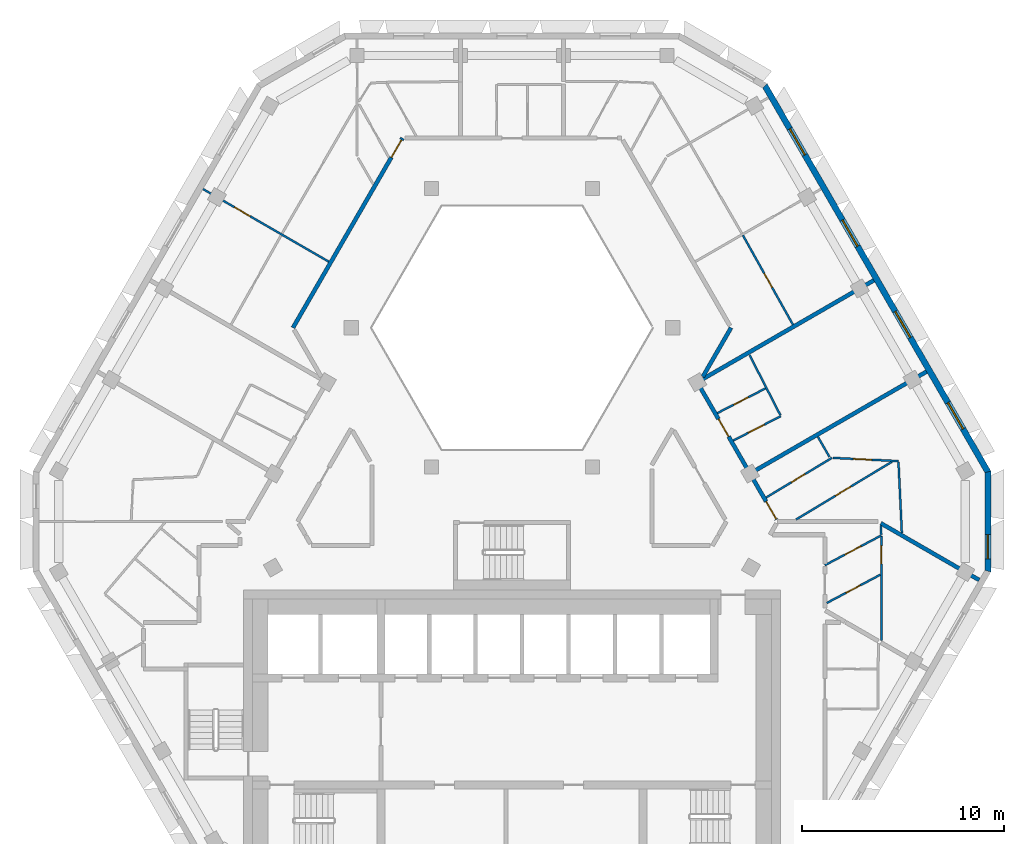
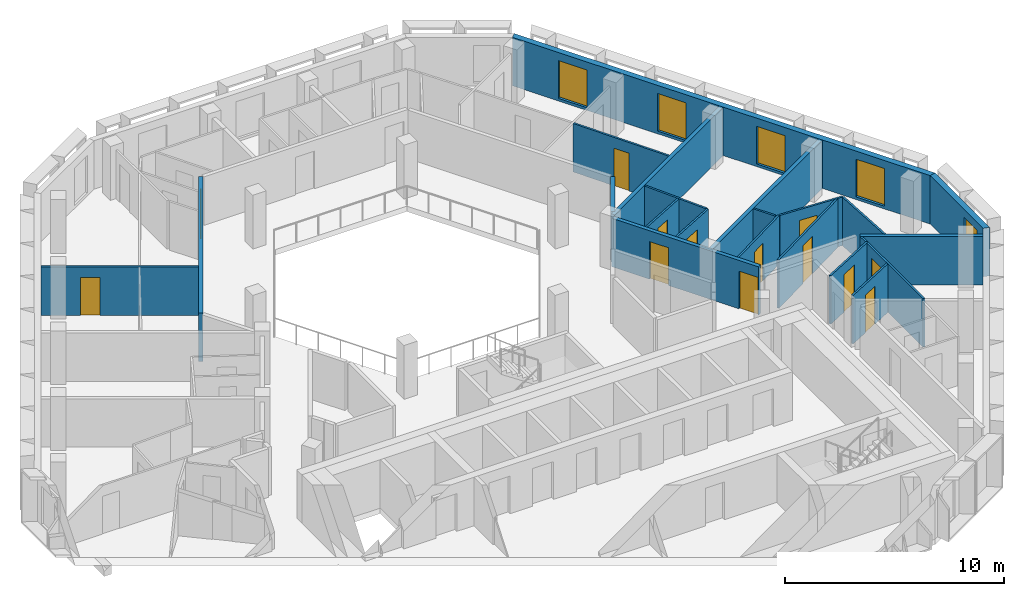
# One storey, part 6 of 15: 22 walls, 13 doors, 5 windows, 18 openings.
"""IFC4 building model written with IfcOpenShell, lengths in metres."""

from ifc_helpers import new_model, si_unit, direction, frame, frame_2d, origin, place, context, subcontext, project, spatial, polyline, rectangle, outline, extrude, material, layer, layer_set, type_object, element, fill, save


model = new_model("IFC4")

# Units and contexts
model_context = context("Model", 3, precision=1e-05, world=origin(), true_north=direction((0.0, 1.0)))
body_context = subcontext(model_context, "Body", "Model", "MODEL_VIEW")
ifc_project = project(units=[si_unit("LENGTHUNIT", "METRE"), si_unit("AREAUNIT", "SQUARE_METRE"), si_unit("VOLUMEUNIT", "CUBIC_METRE"), si_unit("PLANEANGLEUNIT", "RADIAN"), si_unit("MASSUNIT", "GRAM", prefix="KILO")], contexts=[model_context])

# Site, building, storey
site_placement = place(None, origin())
site = spatial("IfcSite", under=ifc_project, at=site_placement, CompositionType="ELEMENT")
building_placement = place(site_placement, origin())
building = spatial("IfcBuilding", under=site, at=building_placement, Name="Beryl Residences", CompositionType="ELEMENT")
storey_placement = place(building_placement, frame((0.0, 0.0, 211.800048828125)))
storey = spatial("IfcBuildingStorey", under=building, at=storey_placement, Name="L65", CompositionType="ELEMENT", Elevation=211.800048828125)

# Wall, opening, window
ifc_material_1 = material(Name="Composite metal panel with mineral wool insulation")
ifc_layer_1 = layer(ifc_material_1, 0.300048828125)
ifc_layer_set_1 = layer_set([ifc_layer_1], Name="ES1 pale metal composite panel wall 300 mm")
wall_type_1 = type_object("IfcWallType", Name="ES1 pale metal composite panel wall 300 mm", PredefinedType="SOLIDWALL", material=ifc_layer_set_1)
wall_1_placement = place(storey_placement, frame((23.5791015625, -4.10009765625, 0.0), z_axis=(0.0, 0.0, 1.0), x_axis=(0.0, 1.0, 0.0)))
wall_1 = element("IfcWall", 1, at=wall_1_placement, inside=storey, type_object=wall_type_1, Name="ES1 external wall L65 SE-NE", PredefinedType="SOLIDWALL", context=body_context, shape_type="SweptSolid", body=[
    extrude(outline(polyline([(0.0, -0.14990234375), (5.0, -0.14990234375), (4.919677734375, 0.14990234375), (0.080322265625, 0.14990234375), (0.0, -0.14990234375)])), origin(), (0.0, 0.0, 1.0), 2.699951171875),
])
opening_1_placement = place(wall_1_placement, frame((0.64990234375, 0.0, 0.14990234375)))
opening_1 = element("IfcOpeningElement", 2, at=opening_1_placement, cuts=wall_1, Name="Opening W2", PredefinedType="OPENING", context=body_context, shape_type="SweptSolid", body=[
    extrude(rectangle(XDim=1.199951171875, YDim=2.10009765625, at=frame_2d((0.60009765625, 1.050048828125))), frame((0.0, 0.159912109375, 0.0), z_axis=(0.0, -1.0, 0.0), x_axis=(1.0, 0.0, 0.0)), (0.0, 0.0, 1.0), 0.320068359375),
])
ifc_material_2 = material(Name="Aluminium and clear glass", Category="aluminium")
window_type_1 = type_object("IfcWindowType", Name="W2 chamfer window 1200 x 2100 mm", PartitioningType="SINGLE_PANEL", PredefinedType="WINDOW", material=ifc_material_2)
window_1_placement = place(opening_1_placement, origin())
window_1 = element("IfcWindow", 3, at=window_1_placement, inside=storey, type_object=window_type_1, Name="W2 window L65 SE-NE 1", OverallHeight=2.10009765625, OverallWidth=1.199951171875, PartitioningType="SINGLE_PANEL", PredefinedType="WINDOW", context=body_context, shape_type="SweptSolid", body=[
    extrude(rectangle(XDim=1.199951171875, YDim=2.10009765625, at=frame_2d((0.60009765625, 1.050048828125))), frame((0.0, 0.030029296875, 0.0), z_axis=(0.0, -1.0, 0.0), x_axis=(1.0, 0.0, 0.0)), (0.0, 0.0, 1.0), 0.06005859375),
])
fill(opening_1, window_1)

# Wall, openings, windows
wall_2_placement = place(storey_placement, frame((23.59912109375, 0.824951171875, 0.0), z_axis=(0.0, 0.0, 1.0), x_axis=(-0.500003656944, 0.866023292436, 0.0)))
wall_2 = element("IfcWall", 4, at=wall_2_placement, inside=storey, type_object=wall_type_1, Name="ES1 external wall L65 NE", PredefinedType="SOLIDWALL", context=body_context, shape_type="SweptSolid", body=[
    extrude(outline(polyline([(0.0, -0.14990234375), (22.170166015625, -0.14990234375), (22.08984375, 0.14990234375), (0.080322265625, 0.14990234375), (0.0, -0.14990234375)])), origin(), (0.0, 0.0, 1.0), 2.699951171875),
])
opening_2_placement = place(wall_2_placement, frame((2.4970703125, 0.0, 0.14990234375)))
opening_2 = element("IfcOpeningElement", 5, at=opening_2_placement, cuts=wall_2, Name="Opening W1", PredefinedType="OPENING", context=body_context, shape_type="SweptSolid", body=[
    extrude(rectangle(XDim=1.5, YDim=2.10009765625, at=frame_2d((0.75, 1.050048828125))), frame((0.0, 0.159912109375, 0.0), z_axis=(0.0, -1.0, 0.0), x_axis=(1.0, 0.0, 0.0)), (0.0, 0.0, 1.0), 0.320068359375),
])
opening_3_placement = place(wall_2_placement, frame((7.722900390625, 0.0, 0.14990234375)))
opening_3 = element("IfcOpeningElement", 6, at=opening_3_placement, cuts=wall_2, Name="Opening W1", PredefinedType="OPENING", context=body_context, shape_type="SweptSolid", body=[
    extrude(rectangle(XDim=1.5, YDim=2.10009765625, at=frame_2d((0.75, 1.050048828125))), frame((0.0, 0.159912109375, 0.0), z_axis=(0.0, -1.0, 0.0), x_axis=(1.0, 0.0, 0.0)), (0.0, 0.0, 1.0), 0.320068359375),
])
opening_4_placement = place(wall_2_placement, frame((12.947998046875, 0.0, 0.14990234375)))
opening_4 = element("IfcOpeningElement", 7, at=opening_4_placement, cuts=wall_2, Name="Opening W1", PredefinedType="OPENING", context=body_context, shape_type="SweptSolid", body=[
    extrude(rectangle(XDim=1.5, YDim=2.10009765625, at=frame_2d((0.75, 1.050048828125))), frame((0.0, 0.159912109375, 0.0), z_axis=(0.0, -1.0, 0.0), x_axis=(1.0, 0.0, 0.0)), (0.0, 0.0, 1.0), 0.320068359375),
])
opening_5_placement = place(wall_2_placement, frame((18.173095703125, 0.0, 0.14990234375)))
opening_5 = element("IfcOpeningElement", 8, at=opening_5_placement, cuts=wall_2, Name="Opening W1", PredefinedType="OPENING", context=body_context, shape_type="SweptSolid", body=[
    extrude(rectangle(XDim=1.5, YDim=2.10009765625, at=frame_2d((0.75, 1.050048828125))), frame((0.0, 0.159912109375, 0.0), z_axis=(0.0, -1.0, 0.0), x_axis=(1.0, 0.0, 0.0)), (0.0, 0.0, 1.0), 0.320068359375),
])
ifc_material_3 = material(Name="Aluminium and clear glass", Category="aluminium")
window_type_2 = type_object("IfcWindowType", Name="W1 cell window 1500 x 2100 mm", PartitioningType="SINGLE_PANEL", PredefinedType="WINDOW", material=ifc_material_3)
window_2_placement = place(opening_2_placement, origin())
window_2 = element("IfcWindow", 9, at=window_2_placement, inside=storey, type_object=window_type_2, Name="W1 window L65 NE 2", OverallHeight=2.10009765625, OverallWidth=1.5, PartitioningType="SINGLE_PANEL", PredefinedType="WINDOW", context=body_context, shape_type="SweptSolid", body=[
    extrude(rectangle(XDim=1.5, YDim=2.10009765625, at=frame_2d((0.75, 1.050048828125))), frame((0.0, 0.030029296875, 0.0), z_axis=(0.0, -1.0, 0.0), x_axis=(1.0, 0.0, 0.0)), (0.0, 0.0, 1.0), 0.06005859375),
])
fill(opening_2, window_2)
window_3_placement = place(opening_3_placement, origin())
window_3 = element("IfcWindow", 10, at=window_3_placement, inside=storey, type_object=window_type_2, Name="W1 window L65 NE 4", OverallHeight=2.10009765625, OverallWidth=1.5, PartitioningType="SINGLE_PANEL", PredefinedType="WINDOW", context=body_context, shape_type="SweptSolid", body=[
    extrude(rectangle(XDim=1.5, YDim=2.10009765625, at=frame_2d((0.75, 1.050048828125))), frame((0.0, 0.030029296875, 0.0), z_axis=(0.0, -1.0, 0.0), x_axis=(1.0, 0.0, 0.0)), (0.0, 0.0, 1.0), 0.06005859375),
])
fill(opening_3, window_3)
window_4_placement = place(opening_4_placement, origin())
window_4 = element("IfcWindow", 11, at=window_4_placement, inside=storey, type_object=window_type_2, Name="W1 window L65 NE 6", OverallHeight=2.10009765625, OverallWidth=1.5, PartitioningType="SINGLE_PANEL", PredefinedType="WINDOW", context=body_context, shape_type="SweptSolid", body=[
    extrude(rectangle(XDim=1.5, YDim=2.10009765625, at=frame_2d((0.75, 1.050048828125))), frame((0.0, 0.030029296875, 0.0), z_axis=(0.0, -1.0, 0.0), x_axis=(1.0, 0.0, 0.0)), (0.0, 0.0, 1.0), 0.06005859375),
])
fill(opening_4, window_4)
window_5_placement = place(opening_5_placement, origin())
window_5 = element("IfcWindow", 12, at=window_5_placement, inside=storey, type_object=window_type_2, Name="W1 window L65 NE 8", OverallHeight=2.10009765625, OverallWidth=1.5, PartitioningType="SINGLE_PANEL", PredefinedType="WINDOW", context=body_context, shape_type="SweptSolid", body=[
    extrude(rectangle(XDim=1.5, YDim=2.10009765625, at=frame_2d((0.75, 1.050048828125))), frame((0.0, 0.030029296875, 0.0), z_axis=(0.0, -1.0, 0.0), x_axis=(1.0, 0.0, 0.0)), (0.0, 0.0, 1.0), 0.06005859375),
])
fill(opening_5, window_5)

# Wall
ifc_material_4 = material(Name="Gypsum board partition on steel studs", Category="steel")
ifc_layer_2 = layer(ifc_material_4, 0.10009765625)
ifc_layer_set_2 = layer_set([ifc_layer_2], Name="PT1 partition 100 mm gypsum board on steel studs")
wall_type_2 = type_object("IfcWallType", Name="PT1 partition 100 mm gypsum board on steel studs", PredefinedType="PARTITIONING", material=ifc_layer_set_2)
wall_3_placement = place(storey_placement, frame((15.154052734375, 2.60107421875, 0.0), z_axis=(0.0, 0.0, 1.0), x_axis=(0.499808046739, -0.866136199691, 0.0)))
element("IfcWall", 13, at=wall_3_placement, inside=storey, type_object=wall_type_2, Name="Wall PT1 L65 005", PredefinedType="PARTITIONING", context=body_context, shape_type="SweptSolid", body=[
    extrude(rectangle(XDim=1.15234375, YDim=0.10009765625, at=frame_2d((0.576171875, 0.0))), origin(), (0.0, 0.0, 1.0), 2.699951171875),
])

# Wall, opening, door
wall_4_placement = place(storey_placement, frame((11.44091796875, 12.58203125, 0.0), z_axis=(0.0, 0.0, 1.0), x_axis=(0.488568218554, -0.872525699231, 0.0)))
wall_4 = element("IfcWall", 14, at=wall_4_placement, inside=storey, type_object=wall_type_2, Name="Wall PT1 L65 008", PredefinedType="PARTITIONING", context=body_context, shape_type="SweptSolid", body=[
    extrude(rectangle(XDim=5.075927734375, YDim=0.10009765625, at=frame_2d((2.5380859375, 0.0))), origin(), (0.0, 0.0, 1.0), 2.699951171875),
])
opening_6_placement = place(wall_4_placement, frame((2.1630859375, 0.0, 0.0)))
opening_6 = element("IfcOpeningElement", 15, at=opening_6_placement, cuts=wall_4, Name="Opening D2108", PredefinedType="OPENING", context=body_context, shape_type="SweptSolid", body=[
    extrude(rectangle(XDim=0.800048828125, YDim=2.10009765625, at=frame_2d((0.39990234375, 1.050048828125))), frame((0.0, 0.06005859375, 0.0), z_axis=(0.0, -1.0, 0.0), x_axis=(1.0, 0.0, 0.0)), (0.0, 0.0, 1.0), 0.1201171875),
])
ifc_material_5 = material(Name="Timber door leaf", Category="wood")
door_type_1 = type_object("IfcDoorType", Name="D3 bathroom door 800 x 2100 mm", OperationType="SINGLE_SWING_LEFT", PredefinedType="DOOR", material=ifc_material_5)
door_1_placement = place(opening_6_placement, origin())
door_1 = element("IfcDoor", 16, at=door_1_placement, inside=storey, type_object=door_type_1, Name="Door D2108 L65 001", OperationType="SINGLE_SWING_RIGHT", OverallHeight=2.10009765625, OverallWidth=0.800048828125, PredefinedType="DOOR", context=body_context, shape_type="SweptSolid", body=[
    extrude(rectangle(XDim=0.800048828125, YDim=2.10009765625, at=frame_2d((0.39990234375, 1.050048828125))), frame((0.0, 0.02490234375, 0.0), z_axis=(0.0, -1.0, 0.0), x_axis=(1.0, 0.0, 0.0)), (0.0, 0.0, 1.0), 0.050048828125),
])
fill(opening_6, door_1)

# Walls
wall_5_placement = place(storey_placement, frame((11.77197265625, 6.64599609375, 0.0), z_axis=(0.0, 0.0, 1.0), x_axis=(0.456175983405, -0.889889584254, 0.0)))
element("IfcWall", 17, at=wall_5_placement, inside=storey, type_object=wall_type_2, Name="Wall PT1 L65 011", PredefinedType="PARTITIONING", context=body_context, shape_type="SweptSolid", body=[
    extrude(rectangle(XDim=3.34765625, YDim=0.10009765625, at=frame_2d((1.673828125, 0.0))), origin(), (0.0, 0.0, 1.0), 2.699951171875),
])
wall_6_placement = place(storey_placement, frame((18.280029296875, -1.803955078125, 0.0), z_axis=(0.0, 0.0, 1.0), x_axis=(0.039839036731, -0.999206110446, 0.0)))
element("IfcWall", 18, at=wall_6_placement, inside=storey, type_object=wall_type_2, Name="Wall PT1 L65 012", PredefinedType="PARTITIONING", context=body_context, shape_type="SweptSolid", body=[
    extrude(rectangle(XDim=0.453369140625, YDim=0.10009765625, at=frame_2d((0.2265625, 0.0))), origin(), (0.0, 0.0, 1.0), 2.699951171875),
])
wall_7_placement = place(storey_placement, frame((19.15087890625, 1.343017578125, 0.0), z_axis=(0.0, 0.0, 1.0), x_axis=(0.047509130714, -0.998870803707, 0.0)))
element("IfcWall", 19, at=wall_7_placement, inside=storey, type_object=wall_type_2, Name="Wall PT1 L65 013", PredefinedType="PARTITIONING", context=body_context, shape_type="SweptSolid", body=[
    extrude(rectangle(XDim=3.52001953125, YDim=0.10009765625, at=frame_2d((1.760009765625, 0.0))), origin(), (0.0, 0.0, 1.0), 2.699951171875),
])

# Wall, opening, door
wall_8_placement = place(storey_placement, frame((15.908935546875, 1.552001953125, 0.0), z_axis=(0.0, 0.0, 1.0), x_axis=(0.998799003463, -0.048995414909, 0.0)))
wall_8 = element("IfcWall", 20, at=wall_8_placement, inside=storey, type_object=wall_type_2, Name="Wall PT1 L65 017", PredefinedType="PARTITIONING", context=body_context, shape_type="SweptSolid", body=[
    extrude(rectangle(XDim=3.243896484375, YDim=0.10009765625, at=frame_2d((1.6220703125, 0.0))), origin(), (0.0, 0.0, 1.0), 2.699951171875),
])
opening_7_placement = place(wall_8_placement, frame((1.012939453125, 0.0, 0.0)))
opening_7 = element("IfcOpeningElement", 21, at=opening_7_placement, cuts=wall_8, Name="Opening D2140", PredefinedType="OPENING", context=body_context, shape_type="SweptSolid", body=[
    extrude(rectangle(XDim=0.89990234375, YDim=2.10009765625, at=frame_2d((0.449951171875, 1.050048828125))), frame((0.0, 0.06005859375, 0.0), z_axis=(0.0, -1.0, 0.0), x_axis=(1.0, 0.0, 0.0)), (0.0, 0.0, 1.0), 0.1201171875),
])
ifc_material_6 = material(Name="Timber door leaf", Category="wood")
door_type_2 = type_object("IfcDoorType", Name="D2 room door 900 x 2100 mm", OperationType="SINGLE_SWING_LEFT", PredefinedType="DOOR", material=ifc_material_6)
door_2_placement = place(opening_7_placement, origin())
door_2 = element("IfcDoor", 22, at=door_2_placement, inside=storey, type_object=door_type_2, Name="Door D2140 L65 001", OperationType="SINGLE_SWING_RIGHT", OverallHeight=2.10009765625, OverallWidth=0.89990234375, PredefinedType="DOOR", context=body_context, shape_type="SweptSolid", body=[
    extrude(rectangle(XDim=0.89990234375, YDim=2.10009765625, at=frame_2d((0.449951171875, 1.050048828125))), frame((0.0, 0.02490234375, 0.0), z_axis=(0.0, -1.0, 0.0), x_axis=(1.0, 0.0, 0.0)), (0.0, 0.0, 1.0), 0.050048828125),
])
fill(opening_7, door_2)

wall_9_placement = place(storey_placement, frame((-15.31396484375, 14.875, 0.0), z_axis=(0.0, 0.0, 1.0), x_axis=(0.866001485781, -0.500041424909, 0.0)))
wall_9 = element("IfcWall", 23, at=wall_9_placement, inside=storey, type_object=wall_type_2, Name="Wall PT1 L65 018", PredefinedType="PARTITIONING", context=body_context, shape_type="SweptSolid", body=[
    extrude(rectangle(XDim=7.19970703125, YDim=0.10009765625, at=frame_2d((3.599853515625, 0.0))), origin(), (0.0, 0.0, 1.0), 2.699951171875),
])
opening_8_placement = place(wall_9_placement, frame((1.800048828125, 0.0, 0.0)))
opening_8 = element("IfcOpeningElement", 24, at=opening_8_placement, cuts=wall_9, Name="Opening D2117", PredefinedType="OPENING", context=body_context, shape_type="SweptSolid", body=[
    extrude(rectangle(XDim=0.89990234375, YDim=2.10009765625, at=frame_2d((0.449951171875, 1.050048828125))), frame((0.0, 0.06005859375, 0.0), z_axis=(0.0, -1.0, 0.0), x_axis=(1.0, 0.0, 0.0)), (0.0, 0.0, 1.0), 0.1201171875),
])
door_3_placement = place(opening_8_placement, origin())
door_3 = element("IfcDoor", 25, at=door_3_placement, inside=storey, type_object=door_type_2, Name="Door D2117 L65 001", OperationType="SINGLE_SWING_LEFT", OverallHeight=2.10009765625, OverallWidth=0.89990234375, PredefinedType="DOOR", context=body_context, shape_type="SweptSolid", body=[
    extrude(rectangle(XDim=0.89990234375, YDim=2.10009765625, at=frame_2d((0.449951171875, 1.050048828125))), frame((0.0, 0.02490234375, 0.0), z_axis=(0.0, -1.0, 0.0), x_axis=(1.0, 0.0, 0.0)), (0.0, 0.0, 1.0), 0.050048828125),
])
fill(opening_8, door_3)

wall_10_placement = place(storey_placement, frame((18.300048828125, -7.49609375, 0.0), z_axis=(0.0, 0.0, 1.0), x_axis=(0.0, 1.0, 0.0)))
wall_10 = element("IfcWall", 26, at=wall_10_placement, inside=storey, type_object=wall_type_2, Name="Wall PT1 L65 038", PredefinedType="PARTITIONING", context=body_context, shape_type="SweptSolid", body=[
    extrude(rectangle(XDim=5.170166015625, YDim=0.10009765625, at=frame_2d((2.5849609375, 0.0))), origin(), (0.0, 0.0, 1.0), 2.699951171875),
])
opening_9_placement = place(wall_10_placement, frame((3.7939453125, 0.0, 0.0)))
opening_9 = element("IfcOpeningElement", 27, at=opening_9_placement, cuts=wall_10, Name="Opening D2136", PredefinedType="OPENING", context=body_context, shape_type="SweptSolid", body=[
    extrude(rectangle(XDim=0.89990234375, YDim=2.10009765625, at=frame_2d((0.449951171875, 1.050048828125))), frame((0.0, 0.06005859375, 0.0), z_axis=(0.0, -1.0, 0.0), x_axis=(1.0, 0.0, 0.0)), (0.0, 0.0, 1.0), 0.1201171875),
])
door_4_placement = place(opening_9_placement, origin())
door_4 = element("IfcDoor", 28, at=door_4_placement, inside=storey, type_object=door_type_2, Name="Door D2136 L65 001", OperationType="SINGLE_SWING_RIGHT", OverallHeight=2.10009765625, OverallWidth=0.89990234375, PredefinedType="DOOR", context=body_context, shape_type="SweptSolid", body=[
    extrude(rectangle(XDim=0.89990234375, YDim=2.10009765625, at=frame_2d((0.449951171875, 1.050048828125))), frame((0.0, 0.02490234375, 0.0), z_axis=(0.0, -1.0, 0.0), x_axis=(1.0, 0.0, 0.0)), (0.0, 0.0, 1.0), 0.050048828125),
])
fill(opening_9, door_4)

wall_11_placement = place(storey_placement, frame((10.177978515625, 3.77197265625, 0.0), z_axis=(0.0, 0.0, 1.0), x_axis=(0.889732071959, 0.456483121405, 0.0)))
wall_11 = element("IfcWall", 29, at=wall_11_placement, inside=storey, type_object=wall_type_2, Name="Wall PT1 L65 042", PredefinedType="PARTITIONING", context=body_context, shape_type="SweptSolid", body=[
    extrude(rectangle(XDim=2.679443359375, YDim=0.10009765625, at=frame_2d((1.33984375, 0.0))), origin(), (0.0, 0.0, 1.0), 2.699951171875),
])
opening_10_placement = place(wall_11_placement, frame((0.9150390625, 0.0, 0.0)))
opening_10 = element("IfcOpeningElement", 30, at=opening_10_placement, cuts=wall_11, Name="Opening D2143", PredefinedType="OPENING", context=body_context, shape_type="SweptSolid", body=[
    extrude(rectangle(XDim=0.800048828125, YDim=2.10009765625, at=frame_2d((0.39990234375, 1.050048828125))), frame((0.0, 0.06005859375, 0.0), z_axis=(0.0, -1.0, 0.0), x_axis=(1.0, 0.0, 0.0)), (0.0, 0.0, 1.0), 0.1201171875),
])
door_5_placement = place(opening_10_placement, origin())
door_5 = element("IfcDoor", 31, at=door_5_placement, inside=storey, type_object=door_type_1, Name="Door D2143 L65 001", OperationType="SINGLE_SWING_LEFT", OverallHeight=2.10009765625, OverallWidth=0.800048828125, PredefinedType="DOOR", context=body_context, shape_type="SweptSolid", body=[
    extrude(rectangle(XDim=0.800048828125, YDim=2.10009765625, at=frame_2d((0.39990234375, 1.050048828125))), frame((0.0, 0.02490234375, 0.0), z_axis=(0.0, -1.0, 0.0), x_axis=(1.0, 0.0, 0.0)), (0.0, 0.0, 1.0), 0.050048828125),
])
fill(opening_10, door_5)

wall_12_placement = place(storey_placement, frame((10.962890625, 2.412109375, 0.0), z_axis=(0.0, 0.0, 1.0), x_axis=(0.889943997558, 0.456069820543, 0.0)))
wall_12 = element("IfcWall", 32, at=wall_12_placement, inside=storey, type_object=wall_type_2, Name="Wall PT1 L65 043", PredefinedType="PARTITIONING", context=body_context, shape_type="SweptSolid", body=[
    extrude(rectangle(XDim=2.65087890625, YDim=0.10009765625, at=frame_2d((1.325439453125, 0.0))), origin(), (0.0, 0.0, 1.0), 2.699951171875),
])
opening_11_placement = place(wall_12_placement, frame((0.825927734375, 0.0, 0.0)))
opening_11 = element("IfcOpeningElement", 33, at=opening_11_placement, cuts=wall_12, Name="Opening D2142", PredefinedType="OPENING", context=body_context, shape_type="SweptSolid", body=[
    extrude(rectangle(XDim=0.89990234375, YDim=2.10009765625, at=frame_2d((0.449951171875, 1.050048828125))), frame((0.0, 0.06005859375, 0.0), z_axis=(0.0, -1.0, 0.0), x_axis=(1.0, 0.0, 0.0)), (0.0, 0.0, 1.0), 0.1201171875),
])
door_6_placement = place(opening_11_placement, origin())
door_6 = element("IfcDoor", 34, at=door_6_placement, inside=storey, type_object=door_type_2, Name="Door D2142 L65 001", OperationType="SINGLE_SWING_RIGHT", OverallHeight=2.10009765625, OverallWidth=0.89990234375, PredefinedType="DOOR", context=body_context, shape_type="SweptSolid", body=[
    extrude(rectangle(XDim=0.89990234375, YDim=2.10009765625, at=frame_2d((0.449951171875, 1.050048828125))), frame((0.0, 0.02490234375, 0.0), z_axis=(0.0, -1.0, 0.0), x_axis=(1.0, 0.0, 0.0)), (0.0, 0.0, 1.0), 0.050048828125),
])
fill(opening_11, door_6)

wall_13_placement = place(storey_placement, frame((15.5, -3.76708984375, 0.0), z_axis=(0.0, 0.0, 1.0), x_axis=(0.884482889541, 0.466572628976, 0.0)))
wall_13 = element("IfcWall", 35, at=wall_13_placement, inside=storey, type_object=wall_type_2, Name="Wall PT1 L65 044", PredefinedType="PARTITIONING", context=body_context, shape_type="SweptSolid", body=[
    extrude(rectangle(XDim=3.165771484375, YDim=0.10009765625, at=frame_2d((1.5830078125, 0.0))), origin(), (0.0, 0.0, 1.0), 2.699951171875),
])
opening_12_placement = place(wall_13_placement, frame((1.133056640625, 0.0, 0.0)))
opening_12 = element("IfcOpeningElement", 36, at=opening_12_placement, cuts=wall_13, Name="Opening D2135", PredefinedType="OPENING", context=body_context, shape_type="SweptSolid", body=[
    extrude(rectangle(XDim=0.89990234375, YDim=2.10009765625, at=frame_2d((0.449951171875, 1.050048828125))), frame((0.0, 0.06005859375, 0.0), z_axis=(0.0, -1.0, 0.0), x_axis=(1.0, 0.0, 0.0)), (0.0, 0.0, 1.0), 0.1201171875),
])
door_7_placement = place(opening_12_placement, origin())
door_7 = element("IfcDoor", 37, at=door_7_placement, inside=storey, type_object=door_type_2, Name="Door D2135 L65 001", OperationType="SINGLE_SWING_LEFT", OverallHeight=2.10009765625, OverallWidth=0.89990234375, PredefinedType="DOOR", context=body_context, shape_type="SweptSolid", body=[
    extrude(rectangle(XDim=0.89990234375, YDim=2.10009765625, at=frame_2d((0.449951171875, 1.050048828125))), frame((0.0, 0.02490234375, 0.0), z_axis=(0.0, -1.0, 0.0), x_axis=(1.0, 0.0, 0.0)), (0.0, 0.0, 1.0), 0.050048828125),
])
fill(opening_12, door_7)

wall_14_placement = place(storey_placement, frame((15.60009765625, -5.635986328125, 0.0), z_axis=(0.0, 0.0, 1.0), x_axis=(0.884468832747, 0.466599275503, 0.0)))
wall_14 = element("IfcWall", 38, at=wall_14_placement, inside=storey, type_object=wall_type_2, Name="Wall PT1 L65 045", PredefinedType="PARTITIONING", context=body_context, shape_type="SweptSolid", body=[
    extrude(rectangle(XDim=2.99609375, YDim=0.10009765625, at=frame_2d((1.498046875, 0.0))), origin(), (0.0, 0.0, 1.0), 2.699951171875),
])
opening_13_placement = place(wall_14_placement, frame((1.070068359375, 0.0, 0.0)))
opening_13 = element("IfcOpeningElement", 39, at=opening_13_placement, cuts=wall_14, Name="Opening D2134", PredefinedType="OPENING", context=body_context, shape_type="SweptSolid", body=[
    extrude(rectangle(XDim=0.800048828125, YDim=2.10009765625, at=frame_2d((0.39990234375, 1.050048828125))), frame((0.0, 0.06005859375, 0.0), z_axis=(0.0, -1.0, 0.0), x_axis=(1.0, 0.0, 0.0)), (0.0, 0.0, 1.0), 0.1201171875),
])
door_8_placement = place(opening_13_placement, origin())
door_8 = element("IfcDoor", 40, at=door_8_placement, inside=storey, type_object=door_type_1, Name="Door D2134 L65 001", OperationType="SINGLE_SWING_RIGHT", OverallHeight=2.10009765625, OverallWidth=0.800048828125, PredefinedType="DOOR", context=body_context, shape_type="SweptSolid", body=[
    extrude(rectangle(XDim=0.800048828125, YDim=2.10009765625, at=frame_2d((0.39990234375, 1.050048828125))), frame((0.0, 0.02490234375, 0.0), z_axis=(0.0, -1.0, 0.0), x_axis=(1.0, 0.0, 0.0)), (0.0, 0.0, 1.0), 0.050048828125),
])
fill(opening_13, door_8)

wall_15_placement = place(storey_placement, frame((12.593017578125, -0.410888671875, 0.0), z_axis=(0.0, 0.0, 1.0), x_axis=(0.856558445359, 0.516050026339, 0.0)))
wall_15 = element("IfcWall", 41, at=wall_15_placement, inside=storey, type_object=wall_type_2, Name="Wall PT1 L65 051", PredefinedType="PARTITIONING", context=body_context, shape_type="SweptSolid", body=[
    extrude(rectangle(XDim=3.809326171875, YDim=0.10009765625, at=frame_2d((1.90478515625, 0.0))), origin(), (0.0, 0.0, 1.0), 2.699951171875),
])
opening_14_placement = place(wall_15_placement, frame((1.455078125, 0.0, 0.0)))
opening_14 = element("IfcOpeningElement", 42, at=opening_14_placement, cuts=wall_15, Name="Opening D2139", PredefinedType="OPENING", context=body_context, shape_type="SweptSolid", body=[
    extrude(rectangle(XDim=0.800048828125, YDim=2.10009765625, at=frame_2d((0.39990234375, 1.050048828125))), frame((0.0, 0.06005859375, 0.0), z_axis=(0.0, -1.0, 0.0), x_axis=(1.0, 0.0, 0.0)), (0.0, 0.0, 1.0), 0.1201171875),
])
door_9_placement = place(opening_14_placement, origin())
door_9 = element("IfcDoor", 43, at=door_9_placement, inside=storey, type_object=door_type_1, Name="Door D2139 L65 001", OperationType="SINGLE_SWING_LEFT", OverallHeight=2.10009765625, OverallWidth=0.800048828125, PredefinedType="DOOR", context=body_context, shape_type="SweptSolid", body=[
    extrude(rectangle(XDim=0.800048828125, YDim=2.10009765625, at=frame_2d((0.39990234375, 1.050048828125))), frame((0.0, 0.02490234375, 0.0), z_axis=(0.0, -1.0, 0.0), x_axis=(1.0, 0.0, 0.0)), (0.0, 0.0, 1.0), 0.050048828125),
])
fill(opening_14, door_9)

wall_16_placement = place(storey_placement, frame((14.0810546875, -1.4990234375, 0.0), z_axis=(0.0, 0.0, 1.0), x_axis=(0.85652273816, 0.516109289798, 0.0)))
wall_16 = element("IfcWall", 44, at=wall_16_placement, inside=storey, type_object=wall_type_2, Name="Wall PT1 L65 052", PredefinedType="PARTITIONING", context=body_context, shape_type="SweptSolid", body=[
    extrude(rectangle(XDim=5.537353515625, YDim=0.10009765625, at=frame_2d((2.7685546875, 0.0))), origin(), (0.0, 0.0, 1.0), 2.699951171875),
])
opening_15_placement = place(wall_16_placement, frame((2.26708984375, 0.0, 0.0)))
opening_15 = element("IfcOpeningElement", 45, at=opening_15_placement, cuts=wall_16, Name="Opening D2138", PredefinedType="OPENING", context=body_context, shape_type="SweptSolid", body=[
    extrude(rectangle(XDim=0.89990234375, YDim=2.10009765625, at=frame_2d((0.449951171875, 1.050048828125))), frame((0.0, 0.06005859375, 0.0), z_axis=(0.0, -1.0, 0.0), x_axis=(1.0, 0.0, 0.0)), (0.0, 0.0, 1.0), 0.1201171875),
])
door_10_placement = place(opening_15_placement, origin())
door_10 = element("IfcDoor", 46, at=door_10_placement, inside=storey, type_object=door_type_2, Name="Door D2138 L65 001", OperationType="SINGLE_SWING_RIGHT", OverallHeight=2.10009765625, OverallWidth=0.89990234375, PredefinedType="DOOR", context=body_context, shape_type="SweptSolid", body=[
    extrude(rectangle(XDim=0.89990234375, YDim=2.10009765625, at=frame_2d((0.449951171875, 1.050048828125))), frame((0.0, 0.02490234375, 0.0), z_axis=(0.0, -1.0, 0.0), x_axis=(1.0, 0.0, 0.0)), (0.0, 0.0, 1.0), 0.050048828125),
])
fill(opening_15, door_10)

# Walls
ifc_material_7 = material(Name="Acoustic double stud gypsum board wall")
ifc_layer_3 = layer(ifc_material_7, 0.199951171875)
ifc_layer_set_3 = layer_set([ifc_layer_3], Name="PT3 party wall 200 mm acoustic double stud")
wall_type_3 = type_object("IfcWallType", Name="PT3 party wall 200 mm acoustic double stud", PredefinedType="PARTITIONING", material=ifc_layer_set_3)
wall_17_placement = place(storey_placement, frame((18.27490234375, -1.68603515625, 0.0), z_axis=(0.0, 0.0, 1.0), x_axis=(0.866041167766, -0.49997269499, 0.0)))
element("IfcWall", 47, at=wall_17_placement, inside=storey, type_object=wall_type_3, Name="Wall PT3 L65 006", PredefinedType="PARTITIONING", context=body_context, shape_type="SweptSolid", body=[
    extrude(rectangle(XDim=5.630126953125, YDim=0.199951171875, at=frame_2d((2.81494140625, 0.0))), origin(), (0.0, 0.0, 1.0), 2.699951171875),
])
wall_18_placement = place(storey_placement, frame((11.87890625, 0.825927734375, 0.0), z_axis=(0.0, 0.0, 1.0), x_axis=(0.866065245018, 0.499930986609, 0.0)))
element("IfcWall", 48, at=wall_18_placement, inside=storey, type_object=wall_type_3, Name="Wall PT3 L65 016", PredefinedType="PARTITIONING", context=body_context, shape_type="SweptSolid", body=[
    extrude(rectangle(XDim=9.99951171875, YDim=0.199951171875, at=frame_2d((4.999755859375, 0.0))), origin(), (0.0, 0.0, 1.0), 2.699951171875),
])
wall_19_placement = place(storey_placement, frame((9.35400390625, 5.40087890625, 0.0), z_axis=(0.0, 0.0, 1.0), x_axis=(0.866018411306, 0.500012111133, 0.0)))
element("IfcWall", 49, at=wall_19_placement, inside=storey, type_object=wall_type_3, Name="Wall PT3 L65 017", PredefinedType="PARTITIONING", context=body_context, shape_type="SweptSolid", body=[
    extrude(rectangle(XDim=9.898193359375, YDim=0.199951171875, at=frame_2d((4.94921875, 0.0))), origin(), (0.0, 0.0, 1.0), 2.699951171875),
])

# Wall, openings, doors
ifc_material_8 = material(Name="Double stud gypsum board wall")
ifc_layer_4 = layer(ifc_material_8, 0.199951171875)
ifc_layer_set_4 = layer_set([ifc_layer_4], Name="PT4 corridor wall 200 mm double stud")
wall_type_4 = type_object("IfcWallType", Name="PT4 corridor wall 200 mm double stud", PredefinedType="PARTITIONING", material=ifc_layer_set_4)
wall_20_placement = place(storey_placement, frame((9.238037109375, 5.199951171875, 0.0), z_axis=(0.0, 0.0, 1.0), x_axis=(0.500025705601, -0.86601056214, 0.0)))
wall_20 = element("IfcWall", 50, at=wall_20_placement, inside=storey, type_object=wall_type_4, Name="Wall PT4 L65 006", PredefinedType="PARTITIONING", context=body_context, shape_type="SweptSolid", body=[
    extrude(rectangle(XDim=7.7353515625, YDim=0.199951171875, at=frame_2d((3.86767578125, 0.0))), origin(), (0.0, 0.0, 1.0), 2.699951171875),
])
opening_16_placement = place(wall_20_placement, frame((6.705078125, 0.0, 0.0)))
opening_16 = element("IfcOpeningElement", 51, at=opening_16_placement, cuts=wall_20, Name="Opening D2137", PredefinedType="OPENING", context=body_context, shape_type="SweptSolid", body=[
    extrude(rectangle(XDim=1.0, YDim=2.10009765625, at=frame_2d((0.5, 1.050048828125))), frame((0.0, 0.10986328125, 0.0), z_axis=(0.0, -1.0, 0.0), x_axis=(1.0, 0.0, 0.0)), (0.0, 0.0, 1.0), 0.219970703125),
])
opening_17_placement = place(wall_20_placement, frame((1.988037109375, 0.0, 0.0)))
opening_17 = element("IfcOpeningElement", 52, at=opening_17_placement, cuts=wall_20, Name="Opening D2141", PredefinedType="OPENING", context=body_context, shape_type="SweptSolid", body=[
    extrude(rectangle(XDim=1.0, YDim=2.10009765625, at=frame_2d((0.5, 1.050048828125))), frame((0.0, 0.10986328125, 0.0), z_axis=(0.0, -1.0, 0.0), x_axis=(1.0, 0.0, 0.0)), (0.0, 0.0, 1.0), 0.219970703125),
])
ifc_material_9 = material(Name="Timber door leaf", Category="wood")
door_type_3 = type_object("IfcDoorType", Name="D1 flat entrance door 1000 x 2100 mm", OperationType="SINGLE_SWING_LEFT", PredefinedType="DOOR", material=ifc_material_9)
door_11_placement = place(opening_16_placement, origin())
door_11 = element("IfcDoor", 53, at=door_11_placement, inside=storey, type_object=door_type_3, Name="Door D2137 L65 001", OperationType="SINGLE_SWING_LEFT", OverallHeight=2.10009765625, OverallWidth=1.0, PredefinedType="DOOR", context=body_context, shape_type="SweptSolid", body=[
    extrude(rectangle(XDim=1.0, YDim=2.10009765625, at=frame_2d((0.5, 1.050048828125))), frame((0.0, 0.02490234375, 0.0), z_axis=(0.0, -1.0, 0.0), x_axis=(1.0, 0.0, 0.0)), (0.0, 0.0, 1.0), 0.050048828125),
])
fill(opening_16, door_11)
door_12_placement = place(opening_17_placement, origin())
door_12 = element("IfcDoor", 54, at=door_12_placement, inside=storey, type_object=door_type_3, Name="Door D2141 L65 001", OperationType="SINGLE_SWING_LEFT", OverallHeight=2.10009765625, OverallWidth=1.0, PredefinedType="DOOR", context=body_context, shape_type="SweptSolid", body=[
    extrude(rectangle(XDim=1.0, YDim=2.10009765625, at=frame_2d((0.5, 1.050048828125))), frame((0.0, 0.02490234375, 0.0), z_axis=(0.0, -1.0, 0.0), x_axis=(1.0, 0.0, 0.0)), (0.0, 0.0, 1.0), 0.050048828125),
])
fill(opening_17, door_12)

# Wall
wall_21_placement = place(storey_placement, frame((9.4541015625, 5.573974609375, 0.0), z_axis=(0.0, 0.0, 1.0), x_axis=(0.499795394297, 0.86614350072, 0.0)))
element("IfcWall", 55, at=wall_21_placement, inside=storey, type_object=wall_type_4, Name="Wall PT4 L65 019", PredefinedType="PARTITIONING", context=body_context, shape_type="SweptSolid", body=[
    extrude(rectangle(XDim=2.801025390625, YDim=0.199951171875, at=frame_2d((1.400390625, 0.0))), origin(), (0.0, 0.0, 1.0), 2.699951171875),
])

# Wall, opening, door
wall_22_placement = place(storey_placement, frame((-10.85400390625, 8.0, 0.0), z_axis=(0.0, 0.0, 1.0), x_axis=(0.499997637144, 0.866026767976, 0.0)))
wall_22 = element("IfcWall", 56, at=wall_22_placement, inside=storey, type_object=wall_type_4, Name="Wall PT4 L65 025", PredefinedType="PARTITIONING", context=body_context, shape_type="SweptSolid", body=[
    extrude(rectangle(XDim=10.85400390625, YDim=0.199951171875, at=frame_2d((5.427001953125, 0.0))), origin(), (0.0, 0.0, 1.0), 2.699951171875),
])
opening_18_placement = place(wall_22_placement, frame((9.75390625, 0.0, 0.0)))
opening_18 = element("IfcOpeningElement", 57, at=opening_18_placement, cuts=wall_22, Name="Opening D2112", PredefinedType="OPENING", context=body_context, shape_type="SweptSolid", body=[
    extrude(rectangle(XDim=1.0, YDim=2.10009765625, at=frame_2d((0.5, 1.050048828125))), frame((0.0, 0.10986328125, 0.0), z_axis=(0.0, -1.0, 0.0), x_axis=(1.0, 0.0, 0.0)), (0.0, 0.0, 1.0), 0.219970703125),
])
door_13_placement = place(opening_18_placement, origin())
door_13 = element("IfcDoor", 58, at=door_13_placement, inside=storey, type_object=door_type_3, Name="Door D2112 L65 001", OperationType="SINGLE_SWING_RIGHT", OverallHeight=2.10009765625, OverallWidth=1.0, PredefinedType="DOOR", context=body_context, shape_type="SweptSolid", body=[
    extrude(rectangle(XDim=1.0, YDim=2.10009765625, at=frame_2d((0.5, 1.050048828125))), frame((0.0, 0.02490234375, 0.0), z_axis=(0.0, -1.0, 0.0), x_axis=(1.0, 0.0, 0.0)), (0.0, 0.0, 1.0), 0.050048828125),
])
fill(opening_18, door_13)

save(model, "model.ifc")
